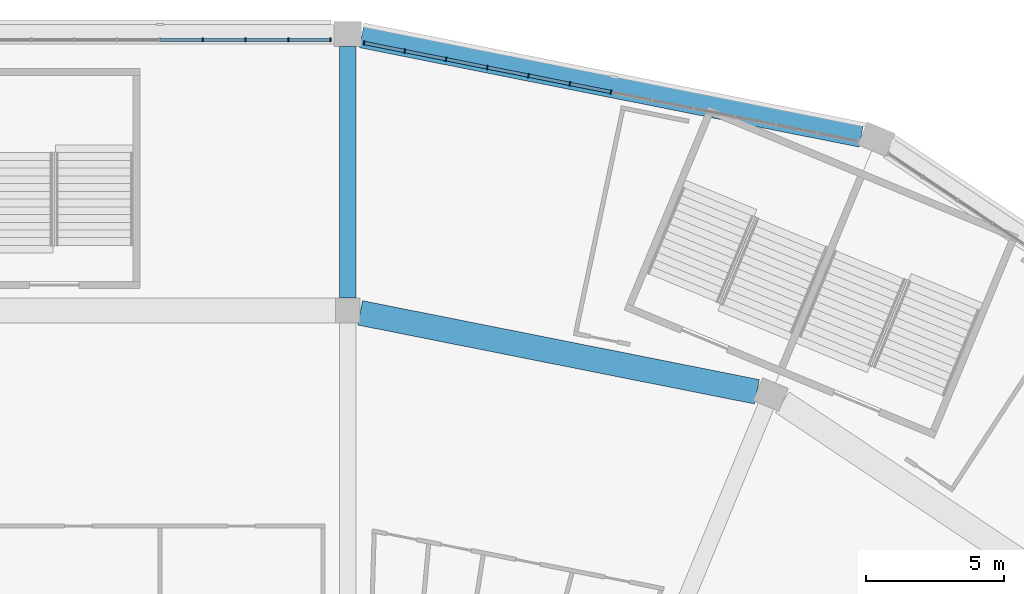
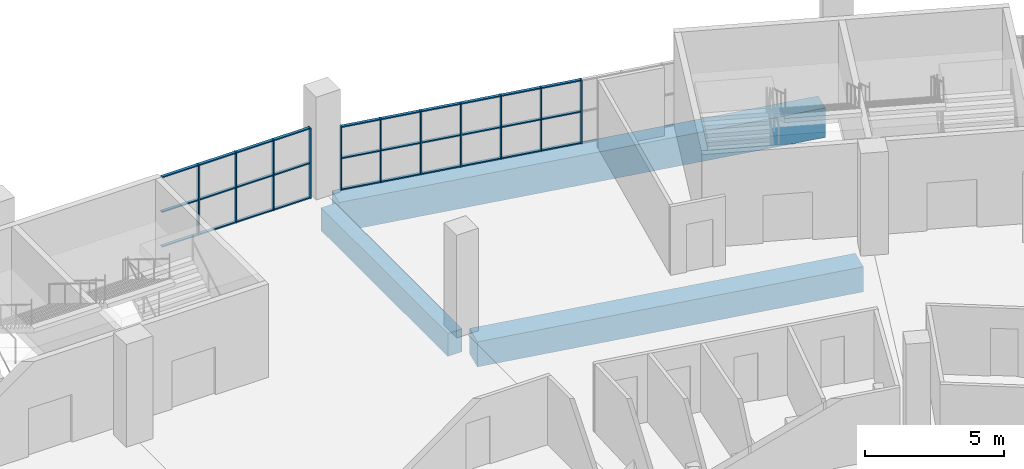
# One storey, part 47 of 199: 41 members, 3 beams, 2 elements without a shape of their own.
"""IFC4 building model written with IfcOpenShell, lengths in metres."""

from ifc_helpers import new_model, si_unit, direction, frame, origin, origin_2d, place, context, subcontext, project, spatial, rectangle, extrude, material, material_profile, profile_set, type_object, element, aggregate, save


model = new_model("IFC4")

# Units and contexts
model_context = context("Model", 3, precision=1e-05, world=origin(), true_north=direction((0.0, 1.0)))
body_context = subcontext(model_context, "Body", "Model", "MODEL_VIEW")
ifc_project = project(units=[si_unit("LENGTHUNIT", "METRE"), si_unit("AREAUNIT", "SQUARE_METRE"), si_unit("VOLUMEUNIT", "CUBIC_METRE"), si_unit("PLANEANGLEUNIT", "RADIAN"), si_unit("MASSUNIT", "GRAM", prefix="KILO")], contexts=[model_context])

# Site, building, storey
site_placement = place(None, origin())
site = spatial("IfcSite", under=ifc_project, at=site_placement, CompositionType="ELEMENT")
building_placement = place(site_placement, origin())
building = spatial("IfcBuilding", under=site, at=building_placement, Name="Ogive Plaza Stadium", CompositionType="ELEMENT")
storey_placement = place(building_placement, frame((0.0, 0.0, 4.5)))
storey = spatial("IfcBuildingStorey", under=building, at=storey_placement, Name="L01", CompositionType="ELEMENT", Elevation=4.5)

# Curtain wall, members
ifc_material_1 = material(Name="Bronze-anodised aluminium with laminated glass", Category="aluminium")
curtain_wall_type = type_object("IfcCurtainWallType", Name="Lancet curtain wall", PredefinedType="NOTDEFINED", material=ifc_material_1)
curtain_wall_1_placement = place(storey_placement, origin())
curtain_wall_1 = element("IfcCurtainWall", 1, at=curtain_wall_1_placement, inside=storey, type_object=curtain_wall_type, Name="CURTAIN WALL B36 L01", PredefinedType="NOTDEFINED")
ifc_material_2 = material(Name="Bronze-anodised aluminium", Category="aluminium")
ifc_material_profile_1 = material_profile(ifc_material_2, rectangle(XDim=0.14990234375, YDim=0.050048828125, at=origin_2d()), Name="AL 150x50")
ifc_profile_set_1 = profile_set([ifc_material_profile_1], Name="Bronze-anodised aluminium")
member_type_1 = type_object("IfcMemberType", Name="Curtain wall mullion 50x150", PredefinedType="MULLION", material=ifc_profile_set_1)
member_1_placement = place(storey_placement, frame((28.75, 102.300048828125, 0.0), z_axis=(0.0, 0.0, 1.0), x_axis=(0.0, 1.0, 0.0)))
member_1 = element("IfcMember", 2, at=member_1_placement, type_object=member_type_1, Name="CW-B36-L01 mullion 6", PredefinedType="MULLION", context=body_context, shape_type="SweptSolid", body=[
    extrude(rectangle(XDim=0.14990234375, YDim=0.050048828125, at=origin_2d()), origin(), (0.0, 0.0, 1.0), 3.090087890625),
])
member_2_placement = place(storey_placement, frame((30.300048828125, 102.300048828125, 0.0), z_axis=(0.0, 0.0, 1.0), x_axis=(0.0, 1.0, 0.0)))
member_2 = element("IfcMember", 3, at=member_2_placement, type_object=member_type_1, Name="CW-B36-L01 mullion 7", PredefinedType="MULLION", context=body_context, shape_type="SweptSolid", body=[
    extrude(rectangle(XDim=0.14990234375, YDim=0.050048828125, at=origin_2d()), origin(), (0.0, 0.0, 1.0), 3.090087890625),
])
member_3_placement = place(storey_placement, frame((31.85009765625, 102.300048828125, 0.0), z_axis=(0.0, 0.0, 1.0), x_axis=(0.0, 1.0, 0.0)))
member_3 = element("IfcMember", 4, at=member_3_placement, type_object=member_type_1, Name="CW-B36-L01 mullion 8", PredefinedType="MULLION", context=body_context, shape_type="SweptSolid", body=[
    extrude(rectangle(XDim=0.14990234375, YDim=0.050048828125, at=origin_2d()), origin(), (0.0, 0.0, 1.0), 3.090087890625),
])
member_4_placement = place(storey_placement, frame((33.375, 102.300048828125, 0.0), z_axis=(0.0, 0.0, 1.0), x_axis=(0.0, 1.0, 0.0)))
member_4 = element("IfcMember", 5, at=member_4_placement, type_object=member_type_1, Name="CW-B36-L01 mullion 9", PredefinedType="MULLION", context=body_context, shape_type="SweptSolid", body=[
    extrude(rectangle(XDim=0.14990234375, YDim=0.050048828125, at=origin_2d()), origin(), (0.0, 0.0, 1.0), 3.090087890625),
])

curtain_wall_2_placement = place(storey_placement, origin())
curtain_wall_2 = element("IfcCurtainWall", 6, at=curtain_wall_2_placement, inside=storey, type_object=curtain_wall_type, Name="CURTAIN WALL B37 L01", PredefinedType="NOTDEFINED")
member_5_placement = place(storey_placement, frame((34.593994140625, 102.177978515625, 0.0), z_axis=(0.0, 0.0, 1.0), x_axis=(0.195090322033, 0.9807852804, 0.0)))
member_5 = element("IfcMember", 7, at=member_5_placement, type_object=member_type_1, Name="CW-B37-L01 mullion 1", PredefinedType="MULLION", context=body_context, shape_type="SweptSolid", body=[
    extrude(rectangle(XDim=0.14990234375, YDim=0.050048828125, at=origin_2d()), origin(), (0.0, 0.0, 1.0), 2.7900390625),
])
member_6_placement = place(storey_placement, frame((36.0625, 101.8857421875, 0.0), z_axis=(0.0, 0.0, 1.0), x_axis=(0.195090322033, 0.9807852804, 0.0)))
member_6 = element("IfcMember", 8, at=member_6_placement, type_object=member_type_1, Name="CW-B37-L01 mullion 2", PredefinedType="MULLION", context=body_context, shape_type="SweptSolid", body=[
    extrude(rectangle(XDim=0.14990234375, YDim=0.050048828125, at=origin_2d()), origin(), (0.0, 0.0, 1.0), 2.7900390625),
])
member_7_placement = place(storey_placement, frame((37.5556640625, 101.5888671875, 0.0), z_axis=(0.0, 0.0, 1.0), x_axis=(0.195090322033, 0.9807852804, 0.0)))
member_7 = element("IfcMember", 9, at=member_7_placement, type_object=member_type_1, Name="CW-B37-L01 mullion 3", PredefinedType="MULLION", context=body_context, shape_type="SweptSolid", body=[
    extrude(rectangle(XDim=0.14990234375, YDim=0.050048828125, at=origin_2d()), origin(), (0.0, 0.0, 1.0), 2.7900390625),
])
member_8_placement = place(storey_placement, frame((39.048828125, 101.291748046875, 0.0), z_axis=(0.0, 0.0, 1.0), x_axis=(0.195090322033, 0.9807852804, 0.0)))
member_8 = element("IfcMember", 10, at=member_8_placement, type_object=member_type_1, Name="CW-B37-L01 mullion 4", PredefinedType="MULLION", context=body_context, shape_type="SweptSolid", body=[
    extrude(rectangle(XDim=0.14990234375, YDim=0.050048828125, at=origin_2d()), origin(), (0.0, 0.0, 1.0), 2.7900390625),
])
member_9_placement = place(storey_placement, frame((40.5419921875, 100.994873046875, 0.0), z_axis=(0.0, 0.0, 1.0), x_axis=(0.195090322033, 0.9807852804, 0.0)))
member_9 = element("IfcMember", 11, at=member_9_placement, type_object=member_type_1, Name="CW-B37-L01 mullion 5", PredefinedType="MULLION", context=body_context, shape_type="SweptSolid", body=[
    extrude(rectangle(XDim=0.14990234375, YDim=0.050048828125, at=origin_2d()), origin(), (0.0, 0.0, 1.0), 2.7900390625),
])
member_10_placement = place(storey_placement, frame((42.034912109375, 100.69775390625, 0.0), z_axis=(0.0, 0.0, 1.0), x_axis=(0.195090322033, 0.9807852804, 0.0)))
member_10 = element("IfcMember", 12, at=member_10_placement, type_object=member_type_1, Name="CW-B37-L01 mullion 6", PredefinedType="MULLION", context=body_context, shape_type="SweptSolid", body=[
    extrude(rectangle(XDim=0.14990234375, YDim=0.050048828125, at=origin_2d()), origin(), (0.0, 0.0, 1.0), 2.7900390625),
])
member_11_placement = place(storey_placement, frame((43.528076171875, 100.40087890625, 0.0), z_axis=(0.0, 0.0, 1.0), x_axis=(0.195090322033, 0.9807852804, 0.0)))
member_11 = element("IfcMember", 13, at=member_11_placement, type_object=member_type_1, Name="CW-B37-L01 mullion 7", PredefinedType="MULLION", context=body_context, shape_type="SweptSolid", body=[
    extrude(rectangle(XDim=0.14990234375, YDim=0.050048828125, at=origin_2d()), origin(), (0.0, 0.0, 1.0), 2.7900390625),
])

# Member
ifc_material_3 = material(Name="Bronze-anodised aluminium", Category="aluminium")
ifc_material_profile_2 = material_profile(ifc_material_3, rectangle(XDim=0.1201171875, YDim=0.050048828125, at=origin_2d()), Name="AL 120x50")
ifc_profile_set_2 = profile_set([ifc_material_profile_2], Name="Bronze-anodised aluminium")
member_type_2 = type_object("IfcMemberType", Name="Curtain wall transom 50x120", PredefinedType="USERDEFINED", material=ifc_profile_set_2)
member_12_placement = place(storey_placement, frame((27.22509765625, 102.300048828125, 0.02490234375), z_axis=(1.0, 0.0, 0.0), x_axis=(0.0, 1.0, 0.0)))
member_12 = element("IfcMember", 14, at=member_12_placement, type_object=member_type_2, Name="CW-B36-L01 transom 5.1", ObjectType="TRANSOM", PredefinedType="USERDEFINED", context=body_context, shape_type="SweptSolid", body=[
    extrude(rectangle(XDim=0.1201171875, YDim=0.050048828125, at=origin_2d()), origin(), (0.0, 0.0, 1.0), 1.5),
])

member_13_placement = place(storey_placement, frame((27.22509765625, 102.300048828125, 1.544921875), z_axis=(1.0, 0.0, 0.0), x_axis=(0.0, 1.0, 0.0)))
member_13 = element("IfcMember", 15, at=member_13_placement, type_object=member_type_2, Name="CW-B36-L01 transom 5.2", ObjectType="TRANSOM", PredefinedType="USERDEFINED", context=body_context, shape_type="SweptSolid", body=[
    extrude(rectangle(XDim=0.1201171875, YDim=0.050048828125, at=origin_2d()), origin(), (0.0, 0.0, 1.0), 1.5),
])

member_14_placement = place(storey_placement, frame((27.22509765625, 102.300048828125, 3.06494140625), z_axis=(1.0, 0.0, 0.0), x_axis=(0.0, 1.0, 0.0)))
member_14 = element("IfcMember", 16, at=member_14_placement, type_object=member_type_2, Name="CW-B36-L01 transom 5.3", ObjectType="TRANSOM", PredefinedType="USERDEFINED", context=body_context, shape_type="SweptSolid", body=[
    extrude(rectangle(XDim=0.1201171875, YDim=0.050048828125, at=origin_2d()), origin(), (0.0, 0.0, 1.0), 1.5),
])

member_15_placement = place(storey_placement, frame((28.77490234375, 102.300048828125, 0.02490234375), z_axis=(1.0, 0.0, 0.0), x_axis=(0.0, 1.0, 0.0)))
member_15 = element("IfcMember", 17, at=member_15_placement, type_object=member_type_2, Name="CW-B36-L01 transom 6.1", ObjectType="TRANSOM", PredefinedType="USERDEFINED", context=body_context, shape_type="SweptSolid", body=[
    extrude(rectangle(XDim=0.1201171875, YDim=0.050048828125, at=origin_2d()), origin(), (0.0, 0.0, 1.0), 1.5),
])

member_16_placement = place(storey_placement, frame((28.77490234375, 102.300048828125, 1.544921875), z_axis=(1.0, 0.0, 0.0), x_axis=(0.0, 1.0, 0.0)))
member_16 = element("IfcMember", 18, at=member_16_placement, type_object=member_type_2, Name="CW-B36-L01 transom 6.2", ObjectType="TRANSOM", PredefinedType="USERDEFINED", context=body_context, shape_type="SweptSolid", body=[
    extrude(rectangle(XDim=0.1201171875, YDim=0.050048828125, at=origin_2d()), origin(), (0.0, 0.0, 1.0), 1.5),
])

member_17_placement = place(storey_placement, frame((28.77490234375, 102.300048828125, 3.06494140625), z_axis=(1.0, 0.0, 0.0), x_axis=(0.0, 1.0, 0.0)))
member_17 = element("IfcMember", 19, at=member_17_placement, type_object=member_type_2, Name="CW-B36-L01 transom 6.3", ObjectType="TRANSOM", PredefinedType="USERDEFINED", context=body_context, shape_type="SweptSolid", body=[
    extrude(rectangle(XDim=0.1201171875, YDim=0.050048828125, at=origin_2d()), origin(), (0.0, 0.0, 1.0), 1.5),
])

member_18_placement = place(storey_placement, frame((30.324951171875, 102.300048828125, 0.02490234375), z_axis=(1.0, 0.0, 0.0), x_axis=(0.0, 1.0, 0.0)))
member_18 = element("IfcMember", 20, at=member_18_placement, type_object=member_type_2, Name="CW-B36-L01 transom 7.1", ObjectType="TRANSOM", PredefinedType="USERDEFINED", context=body_context, shape_type="SweptSolid", body=[
    extrude(rectangle(XDim=0.1201171875, YDim=0.050048828125, at=origin_2d()), origin(), (0.0, 0.0, 1.0), 1.5),
])

member_19_placement = place(storey_placement, frame((30.324951171875, 102.300048828125, 1.544921875), z_axis=(1.0, 0.0, 0.0), x_axis=(0.0, 1.0, 0.0)))
member_19 = element("IfcMember", 21, at=member_19_placement, type_object=member_type_2, Name="CW-B36-L01 transom 7.2", ObjectType="TRANSOM", PredefinedType="USERDEFINED", context=body_context, shape_type="SweptSolid", body=[
    extrude(rectangle(XDim=0.1201171875, YDim=0.050048828125, at=origin_2d()), origin(), (0.0, 0.0, 1.0), 1.5),
])

member_20_placement = place(storey_placement, frame((30.324951171875, 102.300048828125, 3.06494140625), z_axis=(1.0, 0.0, 0.0), x_axis=(0.0, 1.0, 0.0)))
member_20 = element("IfcMember", 22, at=member_20_placement, type_object=member_type_2, Name="CW-B36-L01 transom 7.3", ObjectType="TRANSOM", PredefinedType="USERDEFINED", context=body_context, shape_type="SweptSolid", body=[
    extrude(rectangle(XDim=0.1201171875, YDim=0.050048828125, at=origin_2d()), origin(), (0.0, 0.0, 1.0), 1.5),
])

member_21_placement = place(storey_placement, frame((31.875, 102.300048828125, 0.02490234375), z_axis=(1.0, 0.0, 0.0), x_axis=(0.0, 1.0, 0.0)))
member_21 = element("IfcMember", 23, at=member_21_placement, type_object=member_type_2, Name="CW-B36-L01 transom 8.1", ObjectType="TRANSOM", PredefinedType="USERDEFINED", context=body_context, shape_type="SweptSolid", body=[
    extrude(rectangle(XDim=0.1201171875, YDim=0.050048828125, at=origin_2d()), origin(), (0.0, 0.0, 1.0), 1.47509765625),
])

member_22_placement = place(storey_placement, frame((31.875, 102.300048828125, 1.544921875), z_axis=(1.0, 0.0, 0.0), x_axis=(0.0, 1.0, 0.0)))
member_22 = element("IfcMember", 24, at=member_22_placement, type_object=member_type_2, Name="CW-B36-L01 transom 8.2", ObjectType="TRANSOM", PredefinedType="USERDEFINED", context=body_context, shape_type="SweptSolid", body=[
    extrude(rectangle(XDim=0.1201171875, YDim=0.050048828125, at=origin_2d()), origin(), (0.0, 0.0, 1.0), 1.47509765625),
])

member_23_placement = place(storey_placement, frame((31.875, 102.300048828125, 3.06494140625), z_axis=(1.0, 0.0, 0.0), x_axis=(0.0, 1.0, 0.0)))
member_23 = element("IfcMember", 25, at=member_23_placement, type_object=member_type_2, Name="CW-B36-L01 transom 8.3", ObjectType="TRANSOM", PredefinedType="USERDEFINED", context=body_context, shape_type="SweptSolid", body=[
    extrude(rectangle(XDim=0.1201171875, YDim=0.050048828125, at=origin_2d()), origin(), (0.0, 0.0, 1.0), 1.47509765625),
])

aggregate(curtain_wall_1, [member_1, member_2, member_3, member_4, member_12, member_13, member_14, member_15, member_16, member_17, member_18, member_19, member_20, member_21, member_22, member_23])

member_24_placement = place(storey_placement, frame((34.61865234375, 102.173095703125, 0.02490234375), z_axis=(0.980768379534, -0.195175269199, 0.0), x_axis=(0.195175269199, 0.980768379534, 0.0)))
member_24 = element("IfcMember", 26, at=member_24_placement, type_object=member_type_2, Name="CW-B37-L01 transom 1.1", ObjectType="TRANSOM", PredefinedType="USERDEFINED", context=body_context, shape_type="SweptSolid", body=[
    extrude(rectangle(XDim=0.1201171875, YDim=0.050048828125, at=origin_2d()), origin(), (0.0, 0.0, 1.0), 1.447265625),
])

member_25_placement = place(storey_placement, frame((34.61865234375, 102.173095703125, 1.39501953125), z_axis=(0.980768379534, -0.195175269199, 0.0), x_axis=(0.195175269199, 0.980768379534, 0.0)))
member_25 = element("IfcMember", 27, at=member_25_placement, type_object=member_type_2, Name="CW-B37-L01 transom 1.2", ObjectType="TRANSOM", PredefinedType="USERDEFINED", context=body_context, shape_type="SweptSolid", body=[
    extrude(rectangle(XDim=0.1201171875, YDim=0.050048828125, at=origin_2d()), origin(), (0.0, 0.0, 1.0), 1.447265625),
])

member_26_placement = place(storey_placement, frame((34.61865234375, 102.173095703125, 2.764892578125), z_axis=(0.980768379534, -0.195175269199, 0.0), x_axis=(0.195175269199, 0.980768379534, 0.0)))
member_26 = element("IfcMember", 28, at=member_26_placement, type_object=member_type_2, Name="CW-B37-L01 transom 1.3", ObjectType="TRANSOM", PredefinedType="USERDEFINED", context=body_context, shape_type="SweptSolid", body=[
    extrude(rectangle(XDim=0.1201171875, YDim=0.050048828125, at=origin_2d()), origin(), (0.0, 0.0, 1.0), 1.447265625),
])

member_27_placement = place(storey_placement, frame((36.087158203125, 101.880859375, 0.02490234375), z_axis=(0.980803254763, -0.194999937042, 0.0), x_axis=(0.194999937042, 0.980803254763, 0.0)))
member_27 = element("IfcMember", 29, at=member_27_placement, type_object=member_type_2, Name="CW-B37-L01 transom 2.1", ObjectType="TRANSOM", PredefinedType="USERDEFINED", context=body_context, shape_type="SweptSolid", body=[
    extrude(rectangle(XDim=0.1201171875, YDim=0.050048828125, at=origin_2d()), origin(), (0.0, 0.0, 1.0), 1.472412109375),
])

member_28_placement = place(storey_placement, frame((36.087158203125, 101.880859375, 1.39501953125), z_axis=(0.980803254763, -0.194999937042, 0.0), x_axis=(0.194999937042, 0.980803254763, 0.0)))
member_28 = element("IfcMember", 30, at=member_28_placement, type_object=member_type_2, Name="CW-B37-L01 transom 2.2", ObjectType="TRANSOM", PredefinedType="USERDEFINED", context=body_context, shape_type="SweptSolid", body=[
    extrude(rectangle(XDim=0.1201171875, YDim=0.050048828125, at=origin_2d()), origin(), (0.0, 0.0, 1.0), 1.472412109375),
])

member_29_placement = place(storey_placement, frame((36.087158203125, 101.880859375, 2.764892578125), z_axis=(0.980803254763, -0.194999937042, 0.0), x_axis=(0.194999937042, 0.980803254763, 0.0)))
member_29 = element("IfcMember", 31, at=member_29_placement, type_object=member_type_2, Name="CW-B37-L01 transom 2.3", ObjectType="TRANSOM", PredefinedType="USERDEFINED", context=body_context, shape_type="SweptSolid", body=[
    extrude(rectangle(XDim=0.1201171875, YDim=0.050048828125, at=origin_2d()), origin(), (0.0, 0.0, 1.0), 1.472412109375),
])

member_30_placement = place(storey_placement, frame((37.580322265625, 101.583984375, 0.02490234375), z_axis=(0.980765212551, -0.195191182816, 0.0), x_axis=(0.195191182816, 0.980765212551, 0.0)))
member_30 = element("IfcMember", 32, at=member_30_placement, type_object=member_type_2, Name="CW-B37-L01 transom 3.1", ObjectType="TRANSOM", PredefinedType="USERDEFINED", context=body_context, shape_type="SweptSolid", body=[
    extrude(rectangle(XDim=0.1201171875, YDim=0.050048828125, at=origin_2d()), origin(), (0.0, 0.0, 1.0), 1.47216796875),
])

member_31_placement = place(storey_placement, frame((37.580322265625, 101.583984375, 1.39501953125), z_axis=(0.980765212551, -0.195191182816, 0.0), x_axis=(0.195191182816, 0.980765212551, 0.0)))
member_31 = element("IfcMember", 33, at=member_31_placement, type_object=member_type_2, Name="CW-B37-L01 transom 3.2", ObjectType="TRANSOM", PredefinedType="USERDEFINED", context=body_context, shape_type="SweptSolid", body=[
    extrude(rectangle(XDim=0.1201171875, YDim=0.050048828125, at=origin_2d()), origin(), (0.0, 0.0, 1.0), 1.47216796875),
])

member_32_placement = place(storey_placement, frame((37.580322265625, 101.583984375, 2.764892578125), z_axis=(0.980765212551, -0.195191182816, 0.0), x_axis=(0.195191182816, 0.980765212551, 0.0)))
member_32 = element("IfcMember", 34, at=member_32_placement, type_object=member_type_2, Name="CW-B37-L01 transom 3.3", ObjectType="TRANSOM", PredefinedType="USERDEFINED", context=body_context, shape_type="SweptSolid", body=[
    extrude(rectangle(XDim=0.1201171875, YDim=0.050048828125, at=origin_2d()), origin(), (0.0, 0.0, 1.0), 1.47216796875),
])

member_33_placement = place(storey_placement, frame((39.0732421875, 101.286865234375, 0.02490234375), z_axis=(0.980803254763, -0.194999937042, 0.0), x_axis=(0.194999937042, 0.980803254763, 0.0)))
member_33 = element("IfcMember", 35, at=member_33_placement, type_object=member_type_2, Name="CW-B37-L01 transom 4.1", ObjectType="TRANSOM", PredefinedType="USERDEFINED", context=body_context, shape_type="SweptSolid", body=[
    extrude(rectangle(XDim=0.1201171875, YDim=0.050048828125, at=origin_2d()), origin(), (0.0, 0.0, 1.0), 1.472412109375),
])

member_34_placement = place(storey_placement, frame((39.0732421875, 101.286865234375, 1.39501953125), z_axis=(0.980803254763, -0.194999937042, 0.0), x_axis=(0.194999937042, 0.980803254763, 0.0)))
member_34 = element("IfcMember", 36, at=member_34_placement, type_object=member_type_2, Name="CW-B37-L01 transom 4.2", ObjectType="TRANSOM", PredefinedType="USERDEFINED", context=body_context, shape_type="SweptSolid", body=[
    extrude(rectangle(XDim=0.1201171875, YDim=0.050048828125, at=origin_2d()), origin(), (0.0, 0.0, 1.0), 1.472412109375),
])

member_35_placement = place(storey_placement, frame((39.0732421875, 101.286865234375, 2.764892578125), z_axis=(0.980803254763, -0.194999937042, 0.0), x_axis=(0.194999937042, 0.980803254763, 0.0)))
member_35 = element("IfcMember", 37, at=member_35_placement, type_object=member_type_2, Name="CW-B37-L01 transom 4.3", ObjectType="TRANSOM", PredefinedType="USERDEFINED", context=body_context, shape_type="SweptSolid", body=[
    extrude(rectangle(XDim=0.1201171875, YDim=0.050048828125, at=origin_2d()), origin(), (0.0, 0.0, 1.0), 1.472412109375),
])

member_36_placement = place(storey_placement, frame((40.56640625, 100.989990234375, 0.02490234375), z_axis=(0.980771529367, -0.195159440417, 0.0), x_axis=(0.195159440417, 0.980771529367, 0.0)))
member_36 = element("IfcMember", 38, at=member_36_placement, type_object=member_type_2, Name="CW-B37-L01 transom 5.1", ObjectType="TRANSOM", PredefinedType="USERDEFINED", context=body_context, shape_type="SweptSolid", body=[
    extrude(rectangle(XDim=0.1201171875, YDim=0.050048828125, at=origin_2d()), origin(), (0.0, 0.0, 1.0), 1.472412109375),
])

member_37_placement = place(storey_placement, frame((40.56640625, 100.989990234375, 1.39501953125), z_axis=(0.980771529367, -0.195159440417, 0.0), x_axis=(0.195159440417, 0.980771529367, 0.0)))
member_37 = element("IfcMember", 39, at=member_37_placement, type_object=member_type_2, Name="CW-B37-L01 transom 5.2", ObjectType="TRANSOM", PredefinedType="USERDEFINED", context=body_context, shape_type="SweptSolid", body=[
    extrude(rectangle(XDim=0.1201171875, YDim=0.050048828125, at=origin_2d()), origin(), (0.0, 0.0, 1.0), 1.472412109375),
])

member_38_placement = place(storey_placement, frame((40.56640625, 100.989990234375, 2.764892578125), z_axis=(0.980771529367, -0.195159440417, 0.0), x_axis=(0.195159440417, 0.980771529367, 0.0)))
member_38 = element("IfcMember", 40, at=member_38_placement, type_object=member_type_2, Name="CW-B37-L01 transom 5.3", ObjectType="TRANSOM", PredefinedType="USERDEFINED", context=body_context, shape_type="SweptSolid", body=[
    extrude(rectangle(XDim=0.1201171875, YDim=0.050048828125, at=origin_2d()), origin(), (0.0, 0.0, 1.0), 1.472412109375),
])

member_39_placement = place(storey_placement, frame((42.0595703125, 100.69287109375, 0.02490234375), z_axis=(0.980803254763, -0.194999937042, 0.0), x_axis=(0.194999937042, 0.980803254763, 0.0)))
member_39 = element("IfcMember", 41, at=member_39_placement, type_object=member_type_2, Name="CW-B37-L01 transom 6.1", ObjectType="TRANSOM", PredefinedType="USERDEFINED", context=body_context, shape_type="SweptSolid", body=[
    extrude(rectangle(XDim=0.1201171875, YDim=0.050048828125, at=origin_2d()), origin(), (0.0, 0.0, 1.0), 1.472412109375),
])

member_40_placement = place(storey_placement, frame((42.0595703125, 100.69287109375, 1.39501953125), z_axis=(0.980803254763, -0.194999937042, 0.0), x_axis=(0.194999937042, 0.980803254763, 0.0)))
member_40 = element("IfcMember", 42, at=member_40_placement, type_object=member_type_2, Name="CW-B37-L01 transom 6.2", ObjectType="TRANSOM", PredefinedType="USERDEFINED", context=body_context, shape_type="SweptSolid", body=[
    extrude(rectangle(XDim=0.1201171875, YDim=0.050048828125, at=origin_2d()), origin(), (0.0, 0.0, 1.0), 1.472412109375),
])

member_41_placement = place(storey_placement, frame((42.0595703125, 100.69287109375, 2.764892578125), z_axis=(0.980803254763, -0.194999937042, 0.0), x_axis=(0.194999937042, 0.980803254763, 0.0)))
member_41 = element("IfcMember", 43, at=member_41_placement, type_object=member_type_2, Name="CW-B37-L01 transom 6.3", ObjectType="TRANSOM", PredefinedType="USERDEFINED", context=body_context, shape_type="SweptSolid", body=[
    extrude(rectangle(XDim=0.1201171875, YDim=0.050048828125, at=origin_2d()), origin(), (0.0, 0.0, 1.0), 1.472412109375),
])

aggregate(curtain_wall_2, [member_5, member_6, member_7, member_8, member_9, member_10, member_11, member_24, member_25, member_26, member_27, member_28, member_29, member_30, member_31, member_32, member_33, member_34, member_35, member_36, member_37, member_38, member_39, member_40, member_41])

# Beams
ifc_material_4 = material(Name="Concrete C40/50", Category="concrete")
ifc_material_profile_3 = material_profile(ifc_material_4, rectangle(XDim=0.60009765625, YDim=1.0, at=origin_2d()), Name="RC 600x1000")
ifc_profile_set_3 = profile_set([ifc_material_profile_3], Name="Concrete C40/50")
beam_type_1 = type_object("IfcBeamType", Name="RC radial beam 600x1000", PredefinedType="BEAM", material=ifc_profile_set_3)
beam_1_placement = place(storey_placement, frame((34.0, 92.949951171875, -0.909912109375), z_axis=(0.0, 1.0, 0.0), x_axis=(-1.0, 0.0, 0.0)))
element("IfcBeam", 44, at=beam_1_placement, inside=storey, type_object=beam_type_1, Name="Radial beam L01 R37 F4F5", PredefinedType="BEAM", context=body_context, shape_type="SweptSolid", body=[
    extrude(rectangle(XDim=0.60009765625, YDim=1.0, at=origin_2d()), origin(), (0.0, 0.0, 1.0), 9.10009765625),
])
ifc_material_5 = material(Name="Concrete C40/50", Category="concrete")
ifc_material_profile_4 = material_profile(ifc_material_5, rectangle(XDim=0.89990234375, YDim=1.10009765625, at=origin_2d()), Name="RC 900x1100")
ifc_profile_set_4 = profile_set([ifc_material_profile_4], Name="Concrete C40/50")
beam_type_2 = type_object("IfcBeamType", Name="RC ring beam 900x1100", PredefinedType="BEAM", material=ifc_profile_set_4)
beam_2_placement = place(storey_placement, frame((34.449951171875, 92.410400390625, -0.9599609375), z_axis=(0.980787317906, -0.195080078519, 0.0), x_axis=(0.195080078519, 0.980787317906, 0.0)))
element("IfcBeam", 45, at=beam_2_placement, inside=storey, type_object=beam_type_2, Name="Ring beam F4 L01 B37", PredefinedType="BEAM", context=body_context, shape_type="SweptSolid", body=[
    extrude(rectangle(XDim=0.89990234375, YDim=1.10009765625, at=origin_2d()), origin(), (0.0, 0.0, 1.0), 14.638671875),
])
ifc_material_6 = material(Name="Concrete C40/50", Category="concrete")
ifc_material_profile_5 = material_profile(ifc_material_6, rectangle(XDim=0.800048828125, YDim=1.300048828125, at=origin_2d()), Name="RC 800x1300")
ifc_profile_set_5 = profile_set([ifc_material_profile_5], Name="Concrete C40/50")
beam_type_3 = type_object("IfcBeamType", Name="RC spandrel beam 800x1300", PredefinedType="SPANDREL", material=ifc_profile_set_5)
beam_3_placement = place(storey_placement, frame((34.5, 102.400634765625, -1.06005859375), z_axis=(0.980785371075, -0.195089866178, 0.0), x_axis=(0.195089866178, 0.980785371075, 0.0)))
element("IfcBeam", 46, at=beam_3_placement, inside=storey, type_object=beam_type_3, Name="Ring beam F5 L01 B37", PredefinedType="SPANDREL", context=body_context, shape_type="SweptSolid", body=[
    extrude(rectangle(XDim=0.800048828125, YDim=1.300048828125, at=origin_2d()), origin(), (0.0, 0.0, 1.0), 18.4384765625),
])

save(model, "model.ifc")
